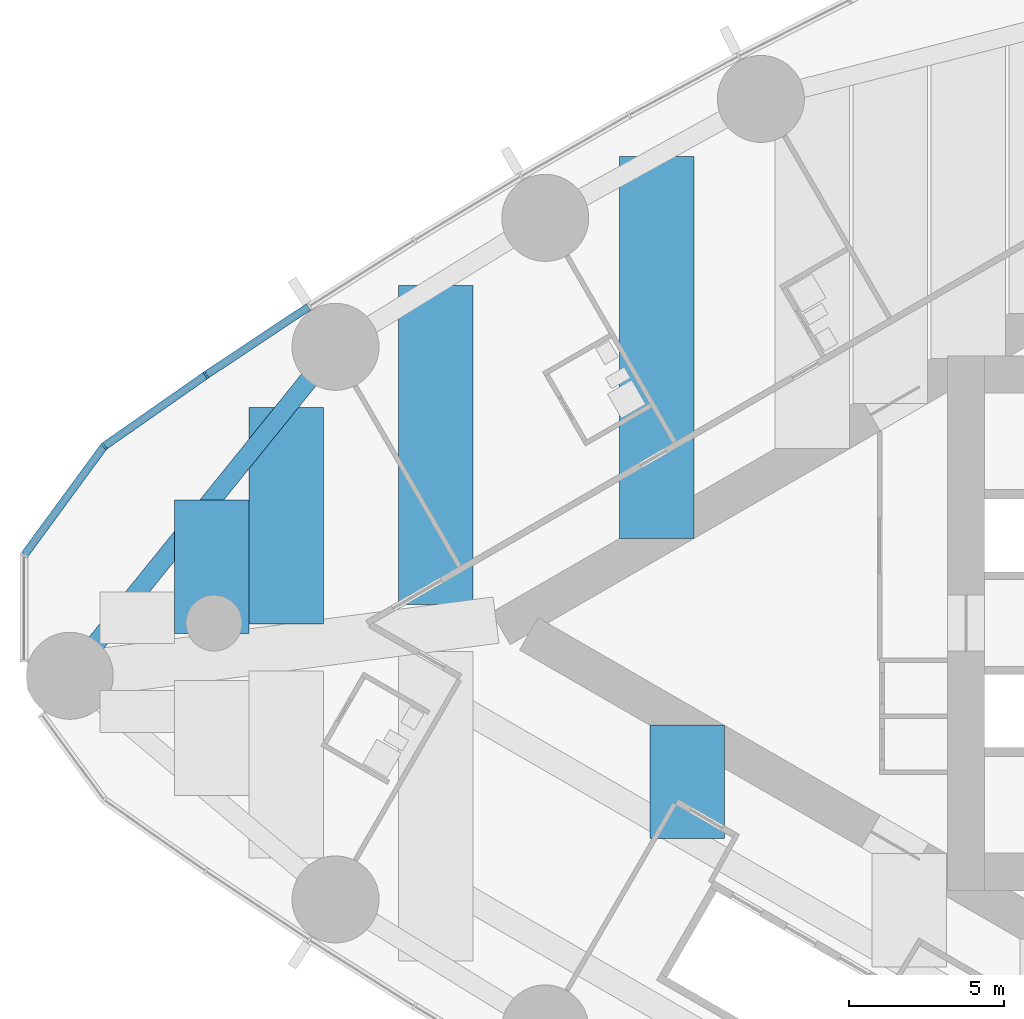
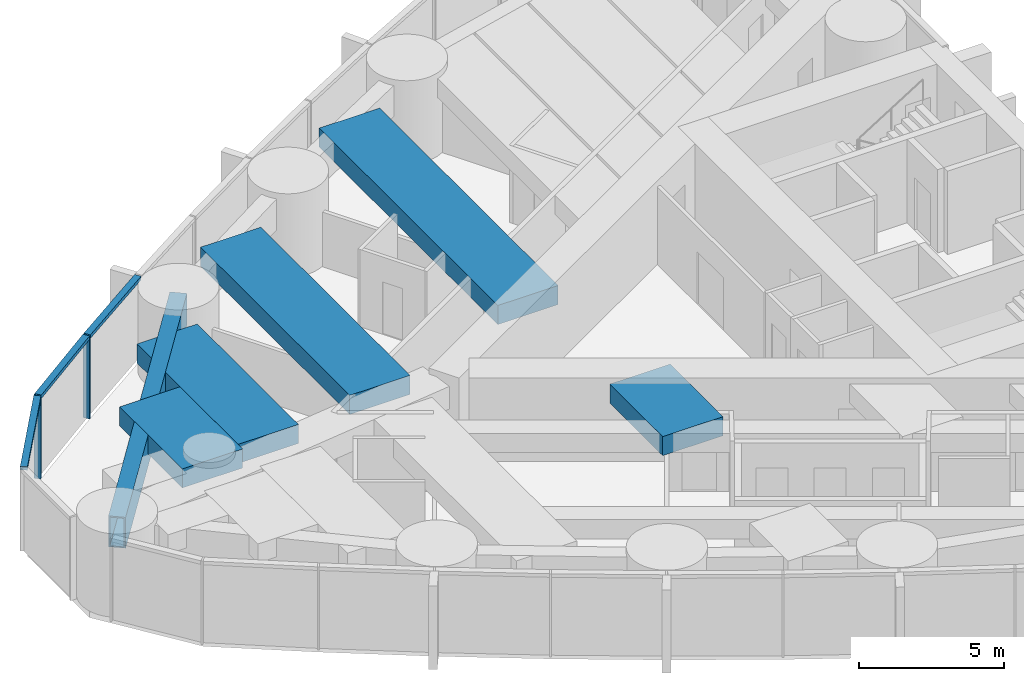
# One storey, part 3 of 19: 6 beams, 5 members, 1 element without a shape of its own.
"""IFC4 building model written with IfcOpenShell, lengths in metres."""

from ifc_helpers import new_model, si_unit, direction, frame, origin, origin_2d, place, context, subcontext, project, spatial, rectangle, hollow_rectangle, extrude, material, material_profile, profile_set, type_object, element, aggregate, save


model = new_model("IFC4")

# Units and contexts
model_context = context("Model", 3, precision=1e-05, world=origin(), true_north=direction((0.0, 1.0)))
body_context = subcontext(model_context, "Body", "Model", "MODEL_VIEW")
ifc_project = project(units=[si_unit("LENGTHUNIT", "METRE"), si_unit("AREAUNIT", "SQUARE_METRE"), si_unit("VOLUMEUNIT", "CUBIC_METRE"), si_unit("PLANEANGLEUNIT", "RADIAN"), si_unit("MASSUNIT", "GRAM", prefix="KILO")], contexts=[model_context])

# Site, building, storey
site_placement = place(None, origin())
site = spatial("IfcSite", under=ifc_project, at=site_placement, CompositionType="ELEMENT")
building_placement = place(site_placement, origin())
building = spatial("IfcBuilding", under=site, at=building_placement, Name="Lancet Gate Hotel", CompositionType="ELEMENT")
storey_placement = place(building_placement, frame((0.0, 0.0, 198.300048828125)))
storey = spatial("IfcBuildingStorey", under=building, at=storey_placement, Name="L53", CompositionType="ELEMENT", Elevation=198.300048828125)

# Curtain wall, members
ifc_material_1 = material(Name="Aluminium curtain wall", Category="aluminium")
curtain_wall_type = type_object("IfcCurtainWallType", Name="Tower unitised curtain wall", PredefinedType="USERDEFINED", material=ifc_material_1)
curtain_wall_placement = place(storey_placement, origin())
curtain_wall = element("IfcCurtainWall", 1, at=curtain_wall_placement, inside=storey, type_object=curtain_wall_type, Name="T1 L53 curtain wall 2", ObjectType="UNITISED CURTAIN WALL", PredefinedType="USERDEFINED")
ifc_material_2 = material(Name="Aluminium mullion", Category="aluminium")
ifc_material_profile_1 = material_profile(ifc_material_2, rectangle(XDim=0.06494140625, YDim=0.25, at=origin_2d()), Name="MULLION 65x250")
ifc_profile_set_1 = profile_set([ifc_material_profile_1], Name="Aluminium mullion")
member_type_1 = type_object("IfcMemberType", Name="Aluminium mullion 65x250", PredefinedType="MULLION", material=ifc_profile_set_1)
member_1_placement = place(storey_placement, frame((-61.7626953125, 7.980712890625, 0.0), z_axis=(0.0, 0.0, 1.0), x_axis=(-0.826312172542, -0.563212387568, 0.0)))
member_1 = element("IfcMember", 2, at=member_1_placement, type_object=member_type_1, Name="T1 L53 curtain wall 2 mullion 10", PredefinedType="MULLION", context=body_context, shape_type="SweptSolid", body=[
    extrude(rectangle(XDim=0.06494140625, YDim=0.25, at=origin_2d()), origin(), (0.0, 0.0, 1.0), 3.5),
])
member_2_placement = place(storey_placement, frame((-65.040283203125, 5.68994140625, 0.0), z_axis=(0.0, 0.0, 1.0), x_axis=(-0.710112861968, -0.704087866155, 0.0)))
member_2 = element("IfcMember", 3, at=member_2_placement, type_object=member_type_1, Name="T1 L53 curtain wall 2 mullion 11", PredefinedType="MULLION", context=body_context, shape_type="SweptSolid", body=[
    extrude(rectangle(XDim=0.06494140625, YDim=0.25, at=origin_2d()), origin(), (0.0, 0.0, 1.0), 3.5),
])
ifc_material_3 = material(Name="Aluminium transom", Category="aluminium")
ifc_material_profile_2 = material_profile(ifc_material_3, rectangle(XDim=0.25, YDim=0.14990234375, at=origin_2d()), Name="TRANSOM 250x150")
ifc_profile_set_2 = profile_set([ifc_material_profile_2], Name="Aluminium transom")
member_type_2 = type_object("IfcMemberType", Name="Aluminium transom 250x150", PredefinedType="USERDEFINED", material=ifc_profile_set_2)
member_3_placement = place(storey_placement, frame((-58.459228515625, 10.176025390625, 3.425048828125), z_axis=(-0.832870509189, -0.553467898729, 0.0), x_axis=(0.553467898729, -0.832870509189, 0.0)))
member_3 = element("IfcMember", 4, at=member_3_placement, type_object=member_type_2, Name="T1 L53 curtain wall 2 transom 9", ObjectType="TRANSOM", PredefinedType="USERDEFINED", context=body_context, shape_type="SweptSolid", body=[
    extrude(rectangle(XDim=0.25, YDim=0.14990234375, at=origin_2d()), origin(), (0.0, 0.0, 1.0), 3.933837890625),
])
member_4_placement = place(storey_placement, frame((-61.789306640625, 7.962158203125, 3.425048828125), z_axis=(-0.819636985462, -0.572883244704, 0.0), x_axis=(0.572883244704, -0.819636985462, 0.0)))
member_4 = element("IfcMember", 5, at=member_4_placement, type_object=member_type_2, Name="T1 L53 curtain wall 2 transom 10", ObjectType="TRANSOM", PredefinedType="USERDEFINED", context=body_context, shape_type="SweptSolid", body=[
    extrude(rectangle(XDim=0.25, YDim=0.14990234375, at=origin_2d()), origin(), (0.0, 0.0, 1.0), 3.933837890625),
])
member_5_placement = place(storey_placement, frame((-65.0595703125, 5.66357421875, 3.425048828125), z_axis=(-0.591324189618, -0.806433941977, 0.0), x_axis=(0.806433941977, -0.591324189618, 0.0)))
member_5 = element("IfcMember", 6, at=member_5_placement, type_object=member_type_2, Name="T1 L53 curtain wall 2 transom 11", ObjectType="TRANSOM", PredefinedType="USERDEFINED", context=body_context, shape_type="SweptSolid", body=[
    extrude(rectangle(XDim=0.25, YDim=0.14990234375, at=origin_2d()), origin(), (0.0, 0.0, 1.0), 4.2900390625),
])
aggregate(curtain_wall, [member_1, member_2, member_3, member_4, member_5])

# Beams
ifc_material_4 = material(Name="Steel S460QL", Category="steel")
ifc_material_profile_3 = material_profile(ifc_material_4, hollow_rectangle(XDim=0.60009765625, YDim=1.300048828125, WallThickness=0.050048828125, at=origin_2d()), Name="BOX 1300x600x50")
ifc_profile_set_3 = profile_set([ifc_material_profile_3], Name="Steel S460QL")
beam_type_1 = type_object("IfcBeamType", Name="Edge beam BOX 1300x600x50", PredefinedType="SPANDREL", material=ifc_profile_set_3)
beam_1_placement = place(storey_placement, frame((-57.589599609375, 8.89306640625, 2.599853515625), z_axis=(-0.628373846765, -0.777911504416, 0.0), x_axis=(0.777911504416, -0.628373846765, 0.0)))
element("IfcBeam", 7, at=beam_1_placement, inside=storey, type_object=beam_type_1, Name="T1 edge beam EB2 L53", PredefinedType="SPANDREL", context=body_context, shape_type="SweptSolid", body=[
    extrude(hollow_rectangle(XDim=0.60009765625, YDim=1.300048828125, WallThickness=0.050048828125, at=origin_2d()), origin(), (0.0, 0.0, 1.0), 13.611328125),
])
ifc_material_5 = material(Name="Concrete C50/60", Category="concrete")
ifc_material_profile_4 = material_profile(ifc_material_5, rectangle(XDim=2.39990234375, YDim=0.800048828125, at=origin_2d()), Name="RC 2400x800")
ifc_profile_set_4 = profile_set([ifc_material_profile_4], Name="Concrete C50/60")
beam_type_2 = type_object("IfcBeamType", Name="Floor beam RC 2400x800", PredefinedType="BEAM", material=ifc_profile_set_4)
beam_2_placement = place(storey_placement, frame((-47.254638671875, 15.020751953125, 2.849853515625), z_axis=(0.0, -1.0, 0.0), x_axis=(1.0, 0.0, 0.0)))
element("IfcBeam", 8, at=beam_2_placement, inside=storey, type_object=beam_type_2, Name="T1 floor beam F09S L53", PredefinedType="BEAM", context=body_context, shape_type="SweptSolid", body=[
    extrude(rectangle(XDim=2.39990234375, YDim=0.800048828125, at=origin_2d()), origin(), (0.0, 0.0, 1.0), 12.29931640625),
])
beam_3_placement = place(storey_placement, frame((-54.3681640625, 10.87353515625, 2.849853515625), z_axis=(0.0, -1.0, 0.0), x_axis=(1.0, 0.0, 0.0)))
element("IfcBeam", 9, at=beam_3_placement, inside=storey, type_object=beam_type_2, Name="T1 floor beam F10S L53", PredefinedType="BEAM", context=body_context, shape_type="SweptSolid", body=[
    extrude(rectangle(XDim=2.39990234375, YDim=0.800048828125, at=origin_2d()), origin(), (0.0, 0.0, 1.0), 10.27392578125),
])
beam_4_placement = place(storey_placement, frame((-59.168212890625, 6.938720703125, 2.849853515625), z_axis=(0.0, -1.0, 0.0), x_axis=(1.0, 0.0, 0.0)))
element("IfcBeam", 10, at=beam_4_placement, inside=storey, type_object=beam_type_2, Name="T1 floor beam F12S L53", PredefinedType="BEAM", context=body_context, shape_type="SweptSolid", body=[
    extrude(rectangle(XDim=2.39990234375, YDim=0.800048828125, at=origin_2d()), origin(), (0.0, 0.0, 1.0), 6.96630859375),
])
beam_5_placement = place(storey_placement, frame((-61.568359375, 3.967529296875, 2.849853515625), z_axis=(0.0, -1.0, 0.0), x_axis=(1.0, 0.0, 0.0)))
element("IfcBeam", 11, at=beam_5_placement, inside=storey, type_object=beam_type_2, Name="T1 floor beam F14S L53", PredefinedType="BEAM", context=body_context, shape_type="SweptSolid", body=[
    extrude(rectangle(XDim=2.39990234375, YDim=0.800048828125, at=origin_2d()), origin(), (0.0, 0.0, 1.0), 4.308837890625),
])
beam_6_placement = place(storey_placement, frame((-46.27587890625, -3.28662109375, 2.849853515625), z_axis=(0.0, -1.0, 0.0), x_axis=(1.0, 0.0, 0.0)))
element("IfcBeam", 12, at=beam_6_placement, inside=storey, type_object=beam_type_2, Name="T1 floor beam F08NA L53", PredefinedType="BEAM", context=body_context, shape_type="SweptSolid", body=[
    extrude(rectangle(XDim=2.39990234375, YDim=0.800048828125, at=origin_2d()), origin(), (0.0, 0.0, 1.0), 3.645751953125),
])

save(model, "model.ifc")
